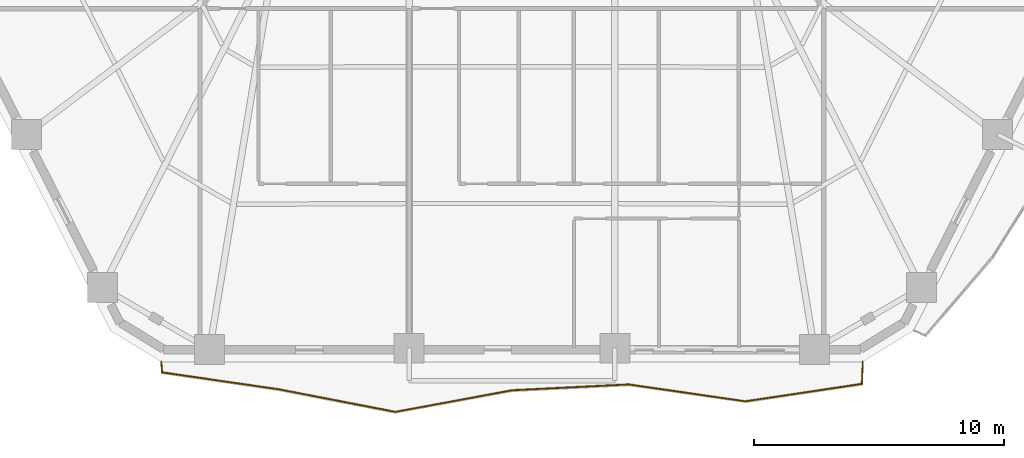
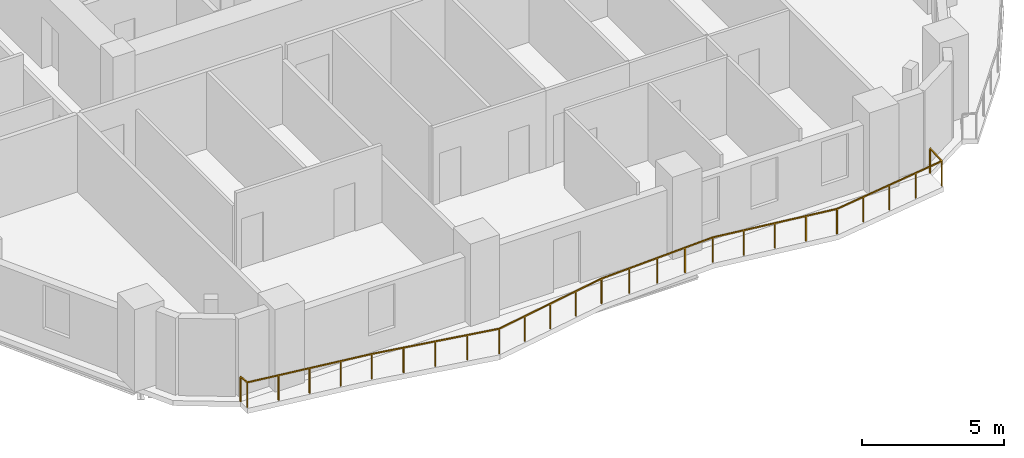
# One storey, part 9 of 12: 1 railing.
"""IFC4 building model written with IfcOpenShell, lengths in metres."""

from ifc_helpers import new_model, si_unit, direction, frame, origin, origin_2d, place, context, subcontext, project, spatial, rectangle, extrude, material, type_object, element, save


model = new_model("IFC4")

# Units and contexts
model_context = context("Model", 3, precision=1e-05, world=origin(), true_north=direction((0.0, 1.0)))
body_context = subcontext(model_context, "Body", "Model", "MODEL_VIEW")
ifc_project = project(units=[si_unit("LENGTHUNIT", "METRE"), si_unit("AREAUNIT", "SQUARE_METRE"), si_unit("VOLUMEUNIT", "CUBIC_METRE"), si_unit("PLANEANGLEUNIT", "RADIAN"), si_unit("MASSUNIT", "GRAM", prefix="KILO")], contexts=[model_context])

# Site, building, storey
site_placement = place(None, origin())
site = spatial("IfcSite", under=ifc_project, at=site_placement, CompositionType="ELEMENT")
building_placement = place(site_placement, origin())
building = spatial("IfcBuilding", under=site, at=building_placement, Name="Cinnabar Lancet Tower", CompositionType="ELEMENT")
storey_placement = place(building_placement, frame((0.0, 0.0, 28.449951171875)))
storey = spatial("IfcBuildingStorey", under=building, at=storey_placement, Name="L06", CompositionType="ELEMENT", Elevation=28.449951171875)

# Railing
ifc_material = material(Name="Laminated safety glass and bronze stainless steel balustrade", Category="steel")
railing_type = type_object("IfcRailingType", Name="ENV-RLG-BAL-1100", PredefinedType="BALUSTRADE", material=ifc_material)
railing_placement = place(storey_placement, frame((18.343994140625, 1.800048828125, 0.0)))
element("IfcRailing", 1, at=railing_placement, inside=storey, type_object=railing_type, Name="L06 Face 1 Wave Balcony Balustrade", PredefinedType="BALUSTRADE", context=body_context, shape_type="SweptSolid", body=[
    extrude(rectangle(XDim=0.048095703125, YDim=0.048095703125, at=origin_2d()), frame((0.0, 0.0, 1.076171875), z_axis=(0.081861032024, -0.996643753523, 0.0), x_axis=(0.996643753523, 0.081861032024, 0.0)), (0.0, 0.0, 1.0), 0.426513671875),
    extrude(rectangle(XDim=0.048095703125, YDim=0.048095703125, at=origin_2d()), frame((0.034912109375, -0.425048828125, 1.076171875), z_axis=(0.989643258313, -0.143548672151, 0.0), x_axis=(0.143548672151, 0.989643258313, 0.0)), (0.0, 0.0, 1.0), 4.722900390625),
    extrude(rectangle(XDim=0.048095703125, YDim=0.048095703125, at=origin_2d()), frame((4.708984375, -1.10302734375, 1.076171875), z_axis=(0.981765343113, -0.190096846535, 0.0), x_axis=(0.190096846535, 0.981765343113, 0.0)), (0.0, 0.0, 1.0), 4.760986328125),
    extrude(rectangle(XDim=0.048095703125, YDim=0.048095703125, at=origin_2d()), frame((9.383056640625, -2.008056640625, 1.076171875), z_axis=(0.983295288705, 0.182017513473, 0.0), x_axis=(-0.182017513473, 0.983295288705, 0.0)), (0.0, 0.0, 1.0), 4.752197265625),
    extrude(rectangle(XDim=0.048095703125, YDim=0.048095703125, at=origin_2d()), frame((14.055908203125, -1.14306640625, 1.076171875), z_axis=(0.998746736247, 0.050049543819, 0.0), x_axis=(-0.050049543819, 0.998746736247, 0.0)), (0.0, 0.0, 1.0), 4.677978515625),
    extrude(rectangle(XDim=0.048095703125, YDim=0.048095703125, at=origin_2d()), frame((18.72802734375, -0.908935546875, 1.076171875), z_axis=(0.989706162292, -0.14311433304, 0.0), x_axis=(0.14311433304, 0.989706162292, 0.0)), (0.0, 0.0, 1.0), 4.7236328125),
    extrude(rectangle(XDim=0.048095703125, YDim=0.048095703125, at=origin_2d()), frame((23.403076171875, -1.5849609375, 1.076171875), z_axis=(0.989007082428, 0.147868153794, 0.0), x_axis=(-0.147868153794, 0.989007082428, 0.0)), (0.0, 0.0, 1.0), 4.72705078125),
    extrude(rectangle(XDim=0.048095703125, YDim=0.048095703125, at=origin_2d()), frame((28.078125, -0.885986328125, 1.076171875), z_axis=(0.038274496984, 0.999267262989, 0.0), x_axis=(-0.999267262989, 0.038274496984, 0.0)), (0.0, 0.0, 1.0), 0.88671875),
    extrude(rectangle(XDim=0.0419921875, YDim=0.0419921875, at=origin_2d()), origin(), (0.0, 0.0, 1.0), 1.052001953125),
    extrude(rectangle(XDim=0.0419921875, YDim=0.0419921875, at=origin_2d()), frame((0.034912109375, -0.425048828125, 0.0)), (0.0, 0.0, 1.0), 1.052001953125),
    extrude(rectangle(XDim=0.0419921875, YDim=0.0419921875, at=origin_2d()), frame((1.203369140625, -0.594482421875, 0.0)), (0.0, 0.0, 1.0), 1.052001953125),
    extrude(rectangle(XDim=0.0419921875, YDim=0.0419921875, at=origin_2d()), frame((2.3720703125, -0.76416015625, 0.0)), (0.0, 0.0, 1.0), 1.052001953125),
    extrude(rectangle(XDim=0.0419921875, YDim=0.0419921875, at=origin_2d()), frame((3.54052734375, -0.93359375, 0.0)), (0.0, 0.0, 1.0), 1.052001953125),
    extrude(rectangle(XDim=0.0419921875, YDim=0.0419921875, at=origin_2d()), frame((4.708984375, -1.10302734375, 0.0)), (0.0, 0.0, 1.0), 1.052001953125),
    extrude(rectangle(XDim=0.0419921875, YDim=0.0419921875, at=origin_2d()), frame((5.87744140625, -1.329345703125, 0.0)), (0.0, 0.0, 1.0), 1.052001953125),
    extrude(rectangle(XDim=0.0419921875, YDim=0.0419921875, at=origin_2d()), frame((7.0458984375, -1.5556640625, 0.0)), (0.0, 0.0, 1.0), 1.052001953125),
    extrude(rectangle(XDim=0.0419921875, YDim=0.0419921875, at=origin_2d()), frame((8.214599609375, -1.78173828125, 0.0)), (0.0, 0.0, 1.0), 1.052001953125),
    extrude(rectangle(XDim=0.0419921875, YDim=0.0419921875, at=origin_2d()), frame((9.383056640625, -2.008056640625, 0.0)), (0.0, 0.0, 1.0), 1.052001953125),
    extrude(rectangle(XDim=0.0419921875, YDim=0.0419921875, at=origin_2d()), frame((10.55126953125, -1.791748046875, 0.0)), (0.0, 0.0, 1.0), 1.052001953125),
    extrude(rectangle(XDim=0.0419921875, YDim=0.0419921875, at=origin_2d()), frame((11.719482421875, -1.57568359375, 0.0)), (0.0, 0.0, 1.0), 1.052001953125),
    extrude(rectangle(XDim=0.0419921875, YDim=0.0419921875, at=origin_2d()), frame((12.8876953125, -1.359375, 0.0)), (0.0, 0.0, 1.0), 1.052001953125),
    extrude(rectangle(XDim=0.0419921875, YDim=0.0419921875, at=origin_2d()), frame((14.055908203125, -1.14306640625, 0.0)), (0.0, 0.0, 1.0), 1.052001953125),
    extrude(rectangle(XDim=0.0419921875, YDim=0.0419921875, at=origin_2d()), frame((15.223876953125, -1.08447265625, 0.0)), (0.0, 0.0, 1.0), 1.052001953125),
    extrude(rectangle(XDim=0.0419921875, YDim=0.0419921875, at=origin_2d()), frame((16.39208984375, -1.02587890625, 0.0)), (0.0, 0.0, 1.0), 1.052001953125),
    extrude(rectangle(XDim=0.0419921875, YDim=0.0419921875, at=origin_2d()), frame((17.56005859375, -0.967529296875, 0.0)), (0.0, 0.0, 1.0), 1.052001953125),
    extrude(rectangle(XDim=0.0419921875, YDim=0.0419921875, at=origin_2d()), frame((18.72802734375, -0.908935546875, 0.0)), (0.0, 0.0, 1.0), 1.052001953125),
    extrude(rectangle(XDim=0.0419921875, YDim=0.0419921875, at=origin_2d()), frame((19.896728515625, -1.077880859375, 0.0)), (0.0, 0.0, 1.0), 1.052001953125),
    extrude(rectangle(XDim=0.0419921875, YDim=0.0419921875, at=origin_2d()), frame((21.0654296875, -1.2470703125, 0.0)), (0.0, 0.0, 1.0), 1.052001953125),
    extrude(rectangle(XDim=0.0419921875, YDim=0.0419921875, at=origin_2d()), frame((22.234375, -1.416015625, 0.0)), (0.0, 0.0, 1.0), 1.052001953125),
    extrude(rectangle(XDim=0.0419921875, YDim=0.0419921875, at=origin_2d()), frame((23.403076171875, -1.5849609375, 0.0)), (0.0, 0.0, 1.0), 1.052001953125),
    extrude(rectangle(XDim=0.0419921875, YDim=0.0419921875, at=origin_2d()), frame((24.57177734375, -1.41015625, 0.0)), (0.0, 0.0, 1.0), 1.052001953125),
    extrude(rectangle(XDim=0.0419921875, YDim=0.0419921875, at=origin_2d()), frame((25.74072265625, -1.2353515625, 0.0)), (0.0, 0.0, 1.0), 1.052001953125),
    extrude(rectangle(XDim=0.0419921875, YDim=0.0419921875, at=origin_2d()), frame((26.909423828125, -1.060791015625, 0.0)), (0.0, 0.0, 1.0), 1.052001953125),
    extrude(rectangle(XDim=0.0419921875, YDim=0.0419921875, at=origin_2d()), frame((28.078125, -0.885986328125, 0.0)), (0.0, 0.0, 1.0), 1.052001953125),
    extrude(rectangle(XDim=0.0419921875, YDim=0.0419921875, at=origin_2d()), frame((28.112060546875, 0.0, 0.0)), (0.0, 0.0, 1.0), 1.052001953125),
])

save(model, "model.ifc")
